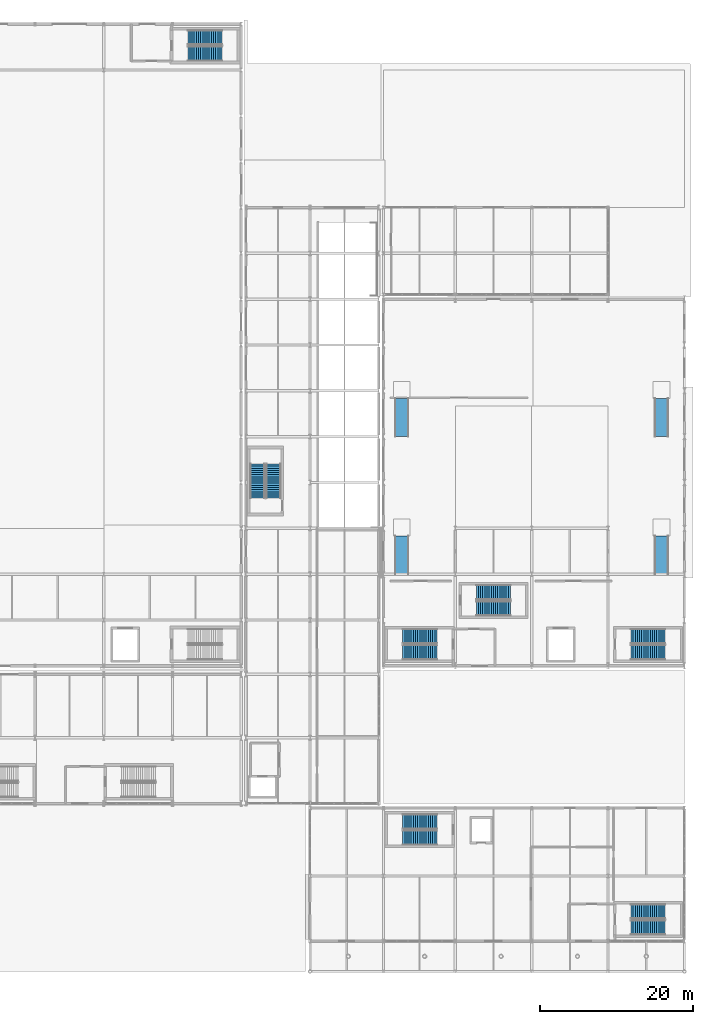
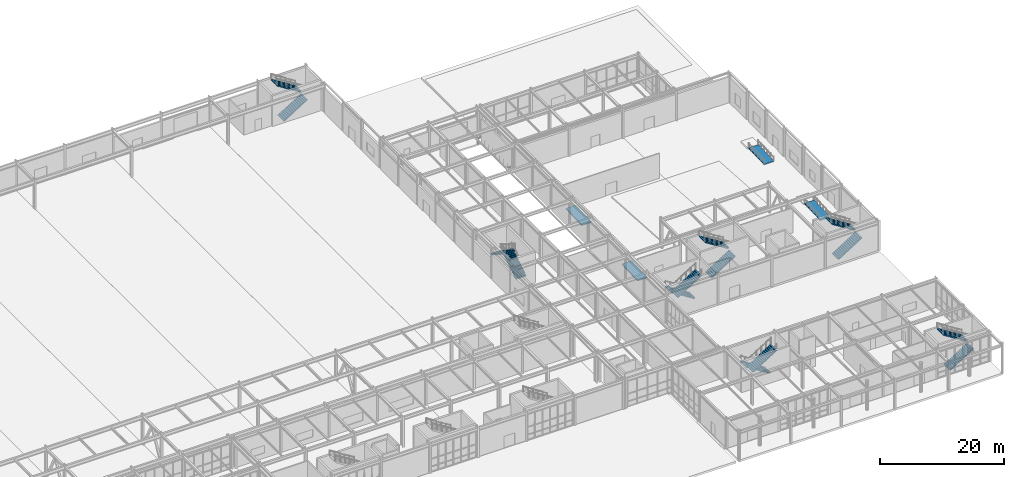
# One storey, part 129 of 146: 14 stair flights, 4 ramp flights, 11 elements without a shape of their own.
"""IFC4 building model written with IfcOpenShell, lengths in metres."""

from ifc_helpers import new_model, si_unit, direction, frame, origin, place, context, subcontext, project, spatial, polyline, outline, extrude, material, type_object, element, aggregate, save


model = new_model("IFC4")

# Units and contexts
model_context = context("Model", 3, precision=1e-05, world=origin(), true_north=direction((0.0, 1.0)))
body_context = subcontext(model_context, "Body", "Model", "MODEL_VIEW")
ifc_project = project(units=[si_unit("LENGTHUNIT", "METRE"), si_unit("AREAUNIT", "SQUARE_METRE"), si_unit("VOLUMEUNIT", "CUBIC_METRE"), si_unit("PLANEANGLEUNIT", "RADIAN"), si_unit("MASSUNIT", "GRAM", prefix="KILO")], contexts=[model_context])

# Site, building, storey
site_placement = place(None, origin())
site = spatial("IfcSite", under=ifc_project, at=site_placement, CompositionType="ELEMENT")
building_placement = place(site_placement, origin())
building = spatial("IfcBuilding", under=site, at=building_placement, Name="Kaldris Quays Convention Centre", CompositionType="ELEMENT")
storey_placement = place(building_placement, origin())
storey = spatial("IfcBuildingStorey", under=building, at=storey_placement, Name="L00", CompositionType="ELEMENT", Elevation=0.0)

# Stair, stair flights
ifc_material = material(Name="Concrete C35/45", Category="concrete")
stair_type = type_object("IfcStairType", Name="DOGLEG ESCAPE STAIR STF2", PredefinedType="TWO_STRAIGHT_RUN_STAIR", material=ifc_material)
stair_1_placement = place(storey_placement, origin())
stair_1 = element("IfcStair", 1, at=stair_1_placement, inside=storey, type_object=stair_type, Name="L00 Escape Stair ST04", PredefinedType="TWO_STRAIGHT_RUN_STAIR")
stair_flight_type = type_object("IfcStairFlightType", Name="STAIR FLIGHT SF02", PredefinedType="STRAIGHT", material=ifc_material)
stair_flight_1_placement = place(storey_placement, frame((139.0, 136.125, 0.0), z_axis=(0.0, 0.0, 1.0), x_axis=(1.0, 0.0, 0.0)))
stair_flight_1 = element("IfcStairFlight", 2, at=stair_flight_1_placement, type_object=stair_flight_type, Name="STF2 flight 1", NumberOfRisers=17, NumberOfTreads=16, PredefinedType="STRAIGHT", RiserHeight=0.176470588, TreadLength=0.28, context=body_context, shape_type="SweptSolid", body=[
    extrude(outline(polyline([(0.0, 0.0), (0.0, 0.176513671875), (0.280029296875, 0.176513671875), (0.280029296875, 0.35302734375), (0.56005859375, 0.35302734375), (0.56005859375, 0.529296875), (0.840087890625, 0.529296875), (0.840087890625, 0.705810546875), (1.1201171875, 0.705810546875), (1.1201171875, 0.88232421875), (1.39990234375, 0.88232421875), (1.39990234375, 1.058837890625), (1.679931640625, 1.058837890625), (1.679931640625, 1.2353515625), (1.9599609375, 1.2353515625), (1.9599609375, 1.411865234375), (2.239990234375, 1.411865234375), (2.239990234375, 1.588134765625), (2.52001953125, 1.588134765625), (2.52001953125, 1.7646484375), (2.800048828125, 1.7646484375), (2.800048828125, 1.941162109375), (3.080078125, 1.941162109375), (3.080078125, 2.11767578125), (3.360107421875, 2.11767578125), (3.360107421875, 2.294189453125), (3.639892578125, 2.294189453125), (3.639892578125, 2.470703125), (3.919921875, 2.470703125), (3.919921875, 2.64697265625), (4.199951171875, 2.64697265625), (4.199951171875, 2.823486328125), (4.47998046875, 2.823486328125), (4.47998046875, 3.0), (4.47998046875, 2.646240234375), (0.28125, 0.0), (0.0, 0.0)])), frame((0.0, 0.97509765625, 0.0), z_axis=(0.0, -1.0, 0.0), x_axis=(1.0, 0.0, 0.0)), (0.0, 0.0, 1.0), 1.949951171875),
])
stair_flight_2_placement = place(storey_placement, frame((143.47998046875, 138.22509765625, 3.0), z_axis=(0.0, 0.0, 1.0), x_axis=(-1.0, 0.0, 0.0)))
stair_flight_2 = element("IfcStairFlight", 3, at=stair_flight_2_placement, type_object=stair_flight_type, Name="STF2 flight 2", NumberOfRisers=17, NumberOfTreads=16, PredefinedType="STRAIGHT", RiserHeight=0.176470588, TreadLength=0.28, context=body_context, shape_type="SweptSolid", body=[
    extrude(outline(polyline([(0.0, 0.0), (0.0, 0.176513671875), (0.280029296875, 0.176513671875), (0.280029296875, 0.35302734375), (0.56005859375, 0.35302734375), (0.56005859375, 0.529296875), (0.840087890625, 0.529296875), (0.840087890625, 0.705810546875), (1.1201171875, 0.705810546875), (1.1201171875, 0.88232421875), (1.39990234375, 0.88232421875), (1.39990234375, 1.058837890625), (1.679931640625, 1.058837890625), (1.679931640625, 1.2353515625), (1.9599609375, 1.2353515625), (1.9599609375, 1.411865234375), (2.239990234375, 1.411865234375), (2.239990234375, 1.588134765625), (2.52001953125, 1.588134765625), (2.52001953125, 1.7646484375), (2.800048828125, 1.7646484375), (2.800048828125, 1.941162109375), (3.080078125, 1.941162109375), (3.080078125, 2.11767578125), (3.360107421875, 2.11767578125), (3.360107421875, 2.294189453125), (3.639892578125, 2.294189453125), (3.639892578125, 2.470703125), (3.919921875, 2.470703125), (3.919921875, 2.64697265625), (4.199951171875, 2.64697265625), (4.199951171875, 2.823486328125), (4.47998046875, 2.823486328125), (4.47998046875, 3.0), (4.47998046875, 2.646240234375), (0.28125, 0.0), (0.0, 0.0)])), frame((0.0, 0.97509765625, 0.0), z_axis=(0.0, -1.0, 0.0), x_axis=(1.0, 0.0, 0.0)), (0.0, 0.0, 1.0), 1.949951171875),
])
aggregate(stair_1, [stair_flight_1, stair_flight_2])

stair_2_placement = place(storey_placement, origin())
stair_2 = element("IfcStair", 4, at=stair_2_placement, inside=storey, type_object=stair_type, Name="L00 Escape Stair ST08", PredefinedType="TWO_STRAIGHT_RUN_STAIR")
stair_flight_3_placement = place(storey_placement, frame((171.60009765625, 59.875, 0.0), z_axis=(0.0, 0.0, 1.0), x_axis=(-1.0, 0.0, 0.0)))
stair_flight_3 = element("IfcStairFlight", 5, at=stair_flight_3_placement, type_object=stair_flight_type, Name="STF2 flight 1", NumberOfRisers=17, NumberOfTreads=16, PredefinedType="STRAIGHT", RiserHeight=0.176470588, TreadLength=0.28, context=body_context, shape_type="SweptSolid", body=[
    extrude(outline(polyline([(0.0, 0.0), (0.0, 0.176513671875), (0.280029296875, 0.176513671875), (0.280029296875, 0.35302734375), (0.56005859375, 0.35302734375), (0.56005859375, 0.529296875), (0.840087890625, 0.529296875), (0.840087890625, 0.705810546875), (1.1201171875, 0.705810546875), (1.1201171875, 0.88232421875), (1.39990234375, 0.88232421875), (1.39990234375, 1.058837890625), (1.679931640625, 1.058837890625), (1.679931640625, 1.2353515625), (1.9599609375, 1.2353515625), (1.9599609375, 1.411865234375), (2.239990234375, 1.411865234375), (2.239990234375, 1.588134765625), (2.52001953125, 1.588134765625), (2.52001953125, 1.7646484375), (2.800048828125, 1.7646484375), (2.800048828125, 1.941162109375), (3.080078125, 1.941162109375), (3.080078125, 2.11767578125), (3.360107421875, 2.11767578125), (3.360107421875, 2.294189453125), (3.639892578125, 2.294189453125), (3.639892578125, 2.470703125), (3.919921875, 2.470703125), (3.919921875, 2.64697265625), (4.199951171875, 2.64697265625), (4.199951171875, 2.823486328125), (4.47998046875, 2.823486328125), (4.47998046875, 3.0), (4.47998046875, 2.646240234375), (0.28125, 0.0), (0.0, 0.0)])), frame((0.0, 0.97509765625, 0.0), z_axis=(0.0, -1.0, 0.0), x_axis=(1.0, 0.0, 0.0)), (0.0, 0.0, 1.0), 1.949951171875),
])
stair_flight_4_placement = place(storey_placement, frame((167.1201171875, 57.77490234375, 3.0), z_axis=(0.0, 0.0, 1.0), x_axis=(1.0, 0.0, 0.0)))
stair_flight_4 = element("IfcStairFlight", 6, at=stair_flight_4_placement, type_object=stair_flight_type, Name="STF2 flight 2", NumberOfRisers=17, NumberOfTreads=16, PredefinedType="STRAIGHT", RiserHeight=0.176470588, TreadLength=0.28, context=body_context, shape_type="SweptSolid", body=[
    extrude(outline(polyline([(0.0, 0.0), (0.0, 0.176513671875), (0.280029296875, 0.176513671875), (0.280029296875, 0.35302734375), (0.56005859375, 0.35302734375), (0.56005859375, 0.529296875), (0.840087890625, 0.529296875), (0.840087890625, 0.705810546875), (1.1201171875, 0.705810546875), (1.1201171875, 0.88232421875), (1.39990234375, 0.88232421875), (1.39990234375, 1.058837890625), (1.679931640625, 1.058837890625), (1.679931640625, 1.2353515625), (1.9599609375, 1.2353515625), (1.9599609375, 1.411865234375), (2.239990234375, 1.411865234375), (2.239990234375, 1.588134765625), (2.52001953125, 1.588134765625), (2.52001953125, 1.7646484375), (2.800048828125, 1.7646484375), (2.800048828125, 1.941162109375), (3.080078125, 1.941162109375), (3.080078125, 2.11767578125), (3.360107421875, 2.11767578125), (3.360107421875, 2.294189453125), (3.639892578125, 2.294189453125), (3.639892578125, 2.470703125), (3.919921875, 2.470703125), (3.919921875, 2.64697265625), (4.199951171875, 2.64697265625), (4.199951171875, 2.823486328125), (4.47998046875, 2.823486328125), (4.47998046875, 3.0), (4.47998046875, 2.646240234375), (0.28125, 0.0), (0.0, 0.0)])), frame((0.0, 0.97509765625, 0.0), z_axis=(0.0, -1.0, 0.0), x_axis=(1.0, 0.0, 0.0)), (0.0, 0.0, 1.0), 1.949951171875),
])
aggregate(stair_2, [stair_flight_3, stair_flight_4])

stair_3_placement = place(storey_placement, origin())
stair_3 = element("IfcStair", 7, at=stair_3_placement, inside=storey, type_object=stair_type, Name="L00 Escape Stair ST09", PredefinedType="TWO_STRAIGHT_RUN_STAIR")
stair_flight_5_placement = place(storey_placement, frame((197.0, 57.77490234375, 0.0), z_axis=(0.0, 0.0, 1.0), x_axis=(1.0, 0.0, 0.0)))
stair_flight_5 = element("IfcStairFlight", 8, at=stair_flight_5_placement, type_object=stair_flight_type, Name="STF2 flight 1", NumberOfRisers=17, NumberOfTreads=16, PredefinedType="STRAIGHT", RiserHeight=0.176470588, TreadLength=0.28, context=body_context, shape_type="SweptSolid", body=[
    extrude(outline(polyline([(0.0, 0.0), (0.0, 0.176513671875), (0.280029296875, 0.176513671875), (0.280029296875, 0.35302734375), (0.56005859375, 0.35302734375), (0.56005859375, 0.529296875), (0.840087890625, 0.529296875), (0.840087890625, 0.705810546875), (1.1201171875, 0.705810546875), (1.1201171875, 0.88232421875), (1.39990234375, 0.88232421875), (1.39990234375, 1.058837890625), (1.679931640625, 1.058837890625), (1.679931640625, 1.2353515625), (1.9599609375, 1.2353515625), (1.9599609375, 1.411865234375), (2.239990234375, 1.411865234375), (2.239990234375, 1.588134765625), (2.52001953125, 1.588134765625), (2.52001953125, 1.7646484375), (2.800048828125, 1.7646484375), (2.800048828125, 1.941162109375), (3.080078125, 1.941162109375), (3.080078125, 2.11767578125), (3.360107421875, 2.11767578125), (3.360107421875, 2.294189453125), (3.639892578125, 2.294189453125), (3.639892578125, 2.470703125), (3.919921875, 2.470703125), (3.919921875, 2.64697265625), (4.199951171875, 2.64697265625), (4.199951171875, 2.823486328125), (4.47998046875, 2.823486328125), (4.47998046875, 3.0), (4.47998046875, 2.646240234375), (0.28125, 0.0), (0.0, 0.0)])), frame((0.0, 0.97509765625, 0.0), z_axis=(0.0, -1.0, 0.0), x_axis=(1.0, 0.0, 0.0)), (0.0, 0.0, 1.0), 1.949951171875),
])
stair_flight_6_placement = place(storey_placement, frame((201.47998046875, 59.875, 3.0), z_axis=(0.0, 0.0, 1.0), x_axis=(-1.0, 0.0, 0.0)))
stair_flight_6 = element("IfcStairFlight", 9, at=stair_flight_6_placement, type_object=stair_flight_type, Name="STF2 flight 2", NumberOfRisers=17, NumberOfTreads=16, PredefinedType="STRAIGHT", RiserHeight=0.176470588, TreadLength=0.28, context=body_context, shape_type="SweptSolid", body=[
    extrude(outline(polyline([(0.0, 0.0), (0.0, 0.176513671875), (0.280029296875, 0.176513671875), (0.280029296875, 0.35302734375), (0.56005859375, 0.35302734375), (0.56005859375, 0.529296875), (0.840087890625, 0.529296875), (0.840087890625, 0.705810546875), (1.1201171875, 0.705810546875), (1.1201171875, 0.88232421875), (1.39990234375, 0.88232421875), (1.39990234375, 1.058837890625), (1.679931640625, 1.058837890625), (1.679931640625, 1.2353515625), (1.9599609375, 1.2353515625), (1.9599609375, 1.411865234375), (2.239990234375, 1.411865234375), (2.239990234375, 1.588134765625), (2.52001953125, 1.588134765625), (2.52001953125, 1.7646484375), (2.800048828125, 1.7646484375), (2.800048828125, 1.941162109375), (3.080078125, 1.941162109375), (3.080078125, 2.11767578125), (3.360107421875, 2.11767578125), (3.360107421875, 2.294189453125), (3.639892578125, 2.294189453125), (3.639892578125, 2.470703125), (3.919921875, 2.470703125), (3.919921875, 2.64697265625), (4.199951171875, 2.64697265625), (4.199951171875, 2.823486328125), (4.47998046875, 2.823486328125), (4.47998046875, 3.0), (4.47998046875, 2.646240234375), (0.28125, 0.0), (0.0, 0.0)])), frame((0.0, 0.97509765625, 0.0), z_axis=(0.0, -1.0, 0.0), x_axis=(1.0, 0.0, 0.0)), (0.0, 0.0, 1.0), 1.949951171875),
])
aggregate(stair_3, [stair_flight_5, stair_flight_6])

stair_4_placement = place(storey_placement, origin())
stair_4 = element("IfcStair", 10, at=stair_4_placement, inside=storey, type_object=stair_type, Name="L00 Escape Stair ST10", PredefinedType="TWO_STRAIGHT_RUN_STAIR")
stair_flight_7_placement = place(storey_placement, frame((176.75, 63.52490234375, 0.0), z_axis=(0.0, 0.0, 1.0), x_axis=(1.0, 0.0, 0.0)))
stair_flight_7 = element("IfcStairFlight", 11, at=stair_flight_7_placement, type_object=stair_flight_type, Name="STF2 flight 1", NumberOfRisers=17, NumberOfTreads=16, PredefinedType="STRAIGHT", RiserHeight=0.176470588, TreadLength=0.28, context=body_context, shape_type="SweptSolid", body=[
    extrude(outline(polyline([(0.0, 0.0), (0.0, 0.176513671875), (0.280029296875, 0.176513671875), (0.280029296875, 0.35302734375), (0.56005859375, 0.35302734375), (0.56005859375, 0.529296875), (0.840087890625, 0.529296875), (0.840087890625, 0.705810546875), (1.1201171875, 0.705810546875), (1.1201171875, 0.88232421875), (1.39990234375, 0.88232421875), (1.39990234375, 1.058837890625), (1.679931640625, 1.058837890625), (1.679931640625, 1.2353515625), (1.9599609375, 1.2353515625), (1.9599609375, 1.411865234375), (2.239990234375, 1.411865234375), (2.239990234375, 1.588134765625), (2.52001953125, 1.588134765625), (2.52001953125, 1.7646484375), (2.800048828125, 1.7646484375), (2.800048828125, 1.941162109375), (3.080078125, 1.941162109375), (3.080078125, 2.11767578125), (3.360107421875, 2.11767578125), (3.360107421875, 2.294189453125), (3.639892578125, 2.294189453125), (3.639892578125, 2.470703125), (3.919921875, 2.470703125), (3.919921875, 2.64697265625), (4.199951171875, 2.64697265625), (4.199951171875, 2.823486328125), (4.47998046875, 2.823486328125), (4.47998046875, 3.0), (4.47998046875, 2.646240234375), (0.28125, 0.0), (0.0, 0.0)])), frame((0.0, 0.97509765625, 0.0), z_axis=(0.0, -1.0, 0.0), x_axis=(1.0, 0.0, 0.0)), (0.0, 0.0, 1.0), 1.949951171875),
])
stair_flight_8_placement = place(storey_placement, frame((181.22998046875, 65.625, 3.0), z_axis=(0.0, 0.0, 1.0), x_axis=(-1.0, 0.0, 0.0)))
stair_flight_8 = element("IfcStairFlight", 12, at=stair_flight_8_placement, type_object=stair_flight_type, Name="STF2 flight 2", NumberOfRisers=17, NumberOfTreads=16, PredefinedType="STRAIGHT", RiserHeight=0.176470588, TreadLength=0.28, context=body_context, shape_type="SweptSolid", body=[
    extrude(outline(polyline([(0.0, 0.0), (0.0, 0.176513671875), (0.280029296875, 0.176513671875), (0.280029296875, 0.35302734375), (0.56005859375, 0.35302734375), (0.56005859375, 0.529296875), (0.840087890625, 0.529296875), (0.840087890625, 0.705810546875), (1.1201171875, 0.705810546875), (1.1201171875, 0.88232421875), (1.39990234375, 0.88232421875), (1.39990234375, 1.058837890625), (1.679931640625, 1.058837890625), (1.679931640625, 1.2353515625), (1.9599609375, 1.2353515625), (1.9599609375, 1.411865234375), (2.239990234375, 1.411865234375), (2.239990234375, 1.588134765625), (2.52001953125, 1.588134765625), (2.52001953125, 1.7646484375), (2.800048828125, 1.7646484375), (2.800048828125, 1.941162109375), (3.080078125, 1.941162109375), (3.080078125, 2.11767578125), (3.360107421875, 2.11767578125), (3.360107421875, 2.294189453125), (3.639892578125, 2.294189453125), (3.639892578125, 2.470703125), (3.919921875, 2.470703125), (3.919921875, 2.64697265625), (4.199951171875, 2.64697265625), (4.199951171875, 2.823486328125), (4.47998046875, 2.823486328125), (4.47998046875, 3.0), (4.47998046875, 2.646240234375), (0.28125, 0.0), (0.0, 0.0)])), frame((0.0, 0.97509765625, 0.0), z_axis=(0.0, -1.0, 0.0), x_axis=(1.0, 0.0, 0.0)), (0.0, 0.0, 1.0), 1.949951171875),
])
aggregate(stair_4, [stair_flight_7, stair_flight_8])

stair_5_placement = place(storey_placement, origin())
stair_5 = element("IfcStair", 13, at=stair_5_placement, inside=storey, type_object=stair_type, Name="L00 Escape Stair ST14", PredefinedType="TWO_STRAIGHT_RUN_STAIR")
stair_flight_9_placement = place(storey_placement, frame((150.22509765625, 77.949951171875, 0.0), z_axis=(0.0, 0.0, 1.0), x_axis=(0.0, 1.0, 0.0)))
stair_flight_9 = element("IfcStairFlight", 14, at=stair_flight_9_placement, type_object=stair_flight_type, Name="STF2 flight 1", NumberOfRisers=17, NumberOfTreads=16, PredefinedType="STRAIGHT", RiserHeight=0.176470588, TreadLength=0.28, context=body_context, shape_type="SweptSolid", body=[
    extrude(outline(polyline([(0.0, 0.0), (0.0, 0.176513671875), (0.280029296875, 0.176513671875), (0.280029296875, 0.35302734375), (0.56005859375, 0.35302734375), (0.56005859375, 0.529296875), (0.840087890625, 0.529296875), (0.840087890625, 0.705810546875), (1.1201171875, 0.705810546875), (1.1201171875, 0.88232421875), (1.39990234375, 0.88232421875), (1.39990234375, 1.058837890625), (1.679931640625, 1.058837890625), (1.679931640625, 1.2353515625), (1.9599609375, 1.2353515625), (1.9599609375, 1.411865234375), (2.239990234375, 1.411865234375), (2.239990234375, 1.588134765625), (2.52001953125, 1.588134765625), (2.52001953125, 1.7646484375), (2.800048828125, 1.7646484375), (2.800048828125, 1.941162109375), (3.080078125, 1.941162109375), (3.080078125, 2.11767578125), (3.360107421875, 2.11767578125), (3.360107421875, 2.294189453125), (3.639892578125, 2.294189453125), (3.639892578125, 2.470703125), (3.919921875, 2.470703125), (3.919921875, 2.64697265625), (4.199951171875, 2.64697265625), (4.199951171875, 2.823486328125), (4.47998046875, 2.823486328125), (4.47998046875, 3.0), (4.47998046875, 2.646240234375), (0.28125, 0.0), (0.0, 0.0)])), frame((0.0, 0.97509765625, 0.0), z_axis=(0.0, -1.0, 0.0), x_axis=(1.0, 0.0, 0.0)), (0.0, 0.0, 1.0), 1.949951171875),
])
stair_flight_10_placement = place(storey_placement, frame((148.125, 82.429931640625, 3.0), z_axis=(0.0, 0.0, 1.0), x_axis=(0.0, -1.0, 0.0)))
stair_flight_10 = element("IfcStairFlight", 15, at=stair_flight_10_placement, type_object=stair_flight_type, Name="STF2 flight 2", NumberOfRisers=17, NumberOfTreads=16, PredefinedType="STRAIGHT", RiserHeight=0.176470588, TreadLength=0.28, context=body_context, shape_type="SweptSolid", body=[
    extrude(outline(polyline([(0.0, 0.0), (0.0, 0.176513671875), (0.280029296875, 0.176513671875), (0.280029296875, 0.35302734375), (0.56005859375, 0.35302734375), (0.56005859375, 0.529296875), (0.840087890625, 0.529296875), (0.840087890625, 0.705810546875), (1.1201171875, 0.705810546875), (1.1201171875, 0.88232421875), (1.39990234375, 0.88232421875), (1.39990234375, 1.058837890625), (1.679931640625, 1.058837890625), (1.679931640625, 1.2353515625), (1.9599609375, 1.2353515625), (1.9599609375, 1.411865234375), (2.239990234375, 1.411865234375), (2.239990234375, 1.588134765625), (2.52001953125, 1.588134765625), (2.52001953125, 1.7646484375), (2.800048828125, 1.7646484375), (2.800048828125, 1.941162109375), (3.080078125, 1.941162109375), (3.080078125, 2.11767578125), (3.360107421875, 2.11767578125), (3.360107421875, 2.294189453125), (3.639892578125, 2.294189453125), (3.639892578125, 2.470703125), (3.919921875, 2.470703125), (3.919921875, 2.64697265625), (4.199951171875, 2.64697265625), (4.199951171875, 2.823486328125), (4.47998046875, 2.823486328125), (4.47998046875, 3.0), (4.47998046875, 2.646240234375), (0.28125, 0.0), (0.0, 0.0)])), frame((0.0, 0.97509765625, 0.0), z_axis=(0.0, -1.0, 0.0), x_axis=(1.0, 0.0, 0.0)), (0.0, 0.0, 1.0), 1.949951171875),
])
aggregate(stair_5, [stair_flight_9, stair_flight_10])

stair_6_placement = place(storey_placement, origin())
stair_6 = element("IfcStair", 16, at=stair_6_placement, inside=storey, type_object=stair_type, Name="L00 Escape Stair ST15", PredefinedType="TWO_STRAIGHT_RUN_STAIR")
stair_flight_11_placement = place(storey_placement, frame((171.60009765625, 35.625, 0.0), z_axis=(0.0, 0.0, 1.0), x_axis=(-1.0, 0.0, 0.0)))
stair_flight_11 = element("IfcStairFlight", 17, at=stair_flight_11_placement, type_object=stair_flight_type, Name="STF2 flight 1", NumberOfRisers=17, NumberOfTreads=16, PredefinedType="STRAIGHT", RiserHeight=0.176470588, TreadLength=0.28, context=body_context, shape_type="SweptSolid", body=[
    extrude(outline(polyline([(0.0, 0.0), (0.0, 0.176513671875), (0.280029296875, 0.176513671875), (0.280029296875, 0.35302734375), (0.56005859375, 0.35302734375), (0.56005859375, 0.529296875), (0.840087890625, 0.529296875), (0.840087890625, 0.705810546875), (1.1201171875, 0.705810546875), (1.1201171875, 0.88232421875), (1.39990234375, 0.88232421875), (1.39990234375, 1.058837890625), (1.679931640625, 1.058837890625), (1.679931640625, 1.2353515625), (1.9599609375, 1.2353515625), (1.9599609375, 1.411865234375), (2.239990234375, 1.411865234375), (2.239990234375, 1.588134765625), (2.52001953125, 1.588134765625), (2.52001953125, 1.7646484375), (2.800048828125, 1.7646484375), (2.800048828125, 1.941162109375), (3.080078125, 1.941162109375), (3.080078125, 2.11767578125), (3.360107421875, 2.11767578125), (3.360107421875, 2.294189453125), (3.639892578125, 2.294189453125), (3.639892578125, 2.470703125), (3.919921875, 2.470703125), (3.919921875, 2.64697265625), (4.199951171875, 2.64697265625), (4.199951171875, 2.823486328125), (4.47998046875, 2.823486328125), (4.47998046875, 3.0), (4.47998046875, 2.646240234375), (0.28125, 0.0), (0.0, 0.0)])), frame((0.0, 0.97509765625, 0.0), z_axis=(0.0, -1.0, 0.0), x_axis=(1.0, 0.0, 0.0)), (0.0, 0.0, 1.0), 1.949951171875),
])
stair_flight_12_placement = place(storey_placement, frame((167.1201171875, 33.52490234375, 3.0), z_axis=(0.0, 0.0, 1.0), x_axis=(1.0, 0.0, 0.0)))
stair_flight_12 = element("IfcStairFlight", 18, at=stair_flight_12_placement, type_object=stair_flight_type, Name="STF2 flight 2", NumberOfRisers=17, NumberOfTreads=16, PredefinedType="STRAIGHT", RiserHeight=0.176470588, TreadLength=0.28, context=body_context, shape_type="SweptSolid", body=[
    extrude(outline(polyline([(0.0, 0.0), (0.0, 0.176513671875), (0.280029296875, 0.176513671875), (0.280029296875, 0.35302734375), (0.56005859375, 0.35302734375), (0.56005859375, 0.529296875), (0.840087890625, 0.529296875), (0.840087890625, 0.705810546875), (1.1201171875, 0.705810546875), (1.1201171875, 0.88232421875), (1.39990234375, 0.88232421875), (1.39990234375, 1.058837890625), (1.679931640625, 1.058837890625), (1.679931640625, 1.2353515625), (1.9599609375, 1.2353515625), (1.9599609375, 1.411865234375), (2.239990234375, 1.411865234375), (2.239990234375, 1.588134765625), (2.52001953125, 1.588134765625), (2.52001953125, 1.7646484375), (2.800048828125, 1.7646484375), (2.800048828125, 1.941162109375), (3.080078125, 1.941162109375), (3.080078125, 2.11767578125), (3.360107421875, 2.11767578125), (3.360107421875, 2.294189453125), (3.639892578125, 2.294189453125), (3.639892578125, 2.470703125), (3.919921875, 2.470703125), (3.919921875, 2.64697265625), (4.199951171875, 2.64697265625), (4.199951171875, 2.823486328125), (4.47998046875, 2.823486328125), (4.47998046875, 3.0), (4.47998046875, 2.646240234375), (0.28125, 0.0), (0.0, 0.0)])), frame((0.0, 0.97509765625, 0.0), z_axis=(0.0, -1.0, 0.0), x_axis=(1.0, 0.0, 0.0)), (0.0, 0.0, 1.0), 1.949951171875),
])
aggregate(stair_6, [stair_flight_11, stair_flight_12])

stair_7_placement = place(storey_placement, origin())
stair_7 = element("IfcStair", 19, at=stair_7_placement, inside=storey, type_object=stair_type, Name="L00 Escape Stair ST16", PredefinedType="TWO_STRAIGHT_RUN_STAIR")
stair_flight_13_placement = place(storey_placement, frame((197.0, 21.77490234375, 0.0), z_axis=(0.0, 0.0, 1.0), x_axis=(1.0, 0.0, 0.0)))
stair_flight_13 = element("IfcStairFlight", 20, at=stair_flight_13_placement, type_object=stair_flight_type, Name="STF2 flight 1", NumberOfRisers=17, NumberOfTreads=16, PredefinedType="STRAIGHT", RiserHeight=0.176470588, TreadLength=0.28, context=body_context, shape_type="SweptSolid", body=[
    extrude(outline(polyline([(0.0, 0.0), (0.0, 0.176513671875), (0.280029296875, 0.176513671875), (0.280029296875, 0.35302734375), (0.56005859375, 0.35302734375), (0.56005859375, 0.529296875), (0.840087890625, 0.529296875), (0.840087890625, 0.705810546875), (1.1201171875, 0.705810546875), (1.1201171875, 0.88232421875), (1.39990234375, 0.88232421875), (1.39990234375, 1.058837890625), (1.679931640625, 1.058837890625), (1.679931640625, 1.2353515625), (1.9599609375, 1.2353515625), (1.9599609375, 1.411865234375), (2.239990234375, 1.411865234375), (2.239990234375, 1.588134765625), (2.52001953125, 1.588134765625), (2.52001953125, 1.7646484375), (2.800048828125, 1.7646484375), (2.800048828125, 1.941162109375), (3.080078125, 1.941162109375), (3.080078125, 2.11767578125), (3.360107421875, 2.11767578125), (3.360107421875, 2.294189453125), (3.639892578125, 2.294189453125), (3.639892578125, 2.470703125), (3.919921875, 2.470703125), (3.919921875, 2.64697265625), (4.199951171875, 2.64697265625), (4.199951171875, 2.823486328125), (4.47998046875, 2.823486328125), (4.47998046875, 3.0), (4.47998046875, 2.646240234375), (0.28125, 0.0), (0.0, 0.0)])), frame((0.0, 0.97509765625, 0.0), z_axis=(0.0, -1.0, 0.0), x_axis=(1.0, 0.0, 0.0)), (0.0, 0.0, 1.0), 1.949951171875),
])
stair_flight_14_placement = place(storey_placement, frame((201.47998046875, 23.875, 3.0), z_axis=(0.0, 0.0, 1.0), x_axis=(-1.0, 0.0, 0.0)))
stair_flight_14 = element("IfcStairFlight", 21, at=stair_flight_14_placement, type_object=stair_flight_type, Name="STF2 flight 2", NumberOfRisers=17, NumberOfTreads=16, PredefinedType="STRAIGHT", RiserHeight=0.176470588, TreadLength=0.28, context=body_context, shape_type="SweptSolid", body=[
    extrude(outline(polyline([(0.0, 0.0), (0.0, 0.176513671875), (0.280029296875, 0.176513671875), (0.280029296875, 0.35302734375), (0.56005859375, 0.35302734375), (0.56005859375, 0.529296875), (0.840087890625, 0.529296875), (0.840087890625, 0.705810546875), (1.1201171875, 0.705810546875), (1.1201171875, 0.88232421875), (1.39990234375, 0.88232421875), (1.39990234375, 1.058837890625), (1.679931640625, 1.058837890625), (1.679931640625, 1.2353515625), (1.9599609375, 1.2353515625), (1.9599609375, 1.411865234375), (2.239990234375, 1.411865234375), (2.239990234375, 1.588134765625), (2.52001953125, 1.588134765625), (2.52001953125, 1.7646484375), (2.800048828125, 1.7646484375), (2.800048828125, 1.941162109375), (3.080078125, 1.941162109375), (3.080078125, 2.11767578125), (3.360107421875, 2.11767578125), (3.360107421875, 2.294189453125), (3.639892578125, 2.294189453125), (3.639892578125, 2.470703125), (3.919921875, 2.470703125), (3.919921875, 2.64697265625), (4.199951171875, 2.64697265625), (4.199951171875, 2.823486328125), (4.47998046875, 2.823486328125), (4.47998046875, 3.0), (4.47998046875, 2.646240234375), (0.28125, 0.0), (0.0, 0.0)])), frame((0.0, 0.97509765625, 0.0), z_axis=(0.0, -1.0, 0.0), x_axis=(1.0, 0.0, 0.0)), (0.0, 0.0, 1.0), 1.949951171875),
])
aggregate(stair_7, [stair_flight_13, stair_flight_14])

# Ramp, ramp flight
ramp_type = type_object("IfcRampType", Name="ACCESSIBLE RAMP RMP2", PredefinedType="STRAIGHT_RUN_RAMP", material=ifc_material)
ramp_1_placement = place(storey_placement, origin())
ramp_1 = element("IfcRamp", 22, at=ramp_1_placement, inside=storey, type_object=ramp_type, Name="SIA 500 Accessible Ramp PRMP-1", PredefinedType="STRAIGHT_RUN_RAMP")
ramp_flight_type = type_object("IfcRampFlightType", Name="ACCESSIBLE RAMP FLIGHT RFG2", PredefinedType="STRAIGHT", material=ifc_material)
ramp_flight_1_placement = place(storey_placement, frame((167.0, 86.0, 0.0), z_axis=(0.0, 0.0, 1.0), x_axis=(0.0, 1.0, 0.0)))
ramp_flight_1 = element("IfcRampFlight", 23, at=ramp_flight_1_placement, type_object=ramp_flight_type, Name="SIA 500 Accessible Ramp Flight PRMP-1", PredefinedType="STRAIGHT", context=body_context, shape_type="SweptSolid", body=[
    extrude(outline(polyline([(0.0, -0.219970703125), (0.0, 0.0), (5.0, 0.218017578125), (5.0, -0.001953125), (0.0, -0.219970703125)])), frame((0.0, 0.89990234375, 0.0), z_axis=(0.0, -1.0, 0.0), x_axis=(1.0, 0.0, 0.0)), (0.0, 0.0, 1.0), 1.800048828125),
])
aggregate(ramp_1, [ramp_flight_1])

ramp_2_placement = place(storey_placement, origin())
ramp_2 = element("IfcRamp", 24, at=ramp_2_placement, inside=storey, type_object=ramp_type, Name="SIA 500 Accessible Ramp PRMP-2", PredefinedType="STRAIGHT_RUN_RAMP")
ramp_flight_2_placement = place(storey_placement, frame((201.0, 86.0, 0.0), z_axis=(0.0, 0.0, 1.0), x_axis=(0.0, 1.0, 0.0)))
ramp_flight_2 = element("IfcRampFlight", 25, at=ramp_flight_2_placement, type_object=ramp_flight_type, Name="SIA 500 Accessible Ramp Flight PRMP-2", PredefinedType="STRAIGHT", context=body_context, shape_type="SweptSolid", body=[
    extrude(outline(polyline([(0.0, -0.219970703125), (0.0, 0.0), (5.0, 0.218017578125), (5.0, -0.001953125), (0.0, -0.219970703125)])), frame((0.0, 0.89990234375, 0.0), z_axis=(0.0, -1.0, 0.0), x_axis=(1.0, 0.0, 0.0)), (0.0, 0.0, 1.0), 1.800048828125),
])
aggregate(ramp_2, [ramp_flight_2])

ramp_3_placement = place(storey_placement, origin())
ramp_3 = element("IfcRamp", 26, at=ramp_3_placement, inside=storey, type_object=ramp_type, Name="SIA 500 Accessible Ramp PRMP-3", PredefinedType="STRAIGHT_RUN_RAMP")
ramp_flight_3_placement = place(storey_placement, frame((167.0, 68.0, 0.0), z_axis=(0.0, 0.0, 1.0), x_axis=(0.0, 1.0, 0.0)))
ramp_flight_3 = element("IfcRampFlight", 27, at=ramp_flight_3_placement, type_object=ramp_flight_type, Name="SIA 500 Accessible Ramp Flight PRMP-3", PredefinedType="STRAIGHT", context=body_context, shape_type="SweptSolid", body=[
    extrude(outline(polyline([(0.0, -0.219970703125), (0.0, 0.0), (5.0, 0.218017578125), (5.0, -0.001953125), (0.0, -0.219970703125)])), frame((0.0, 0.89990234375, 0.0), z_axis=(0.0, -1.0, 0.0), x_axis=(1.0, 0.0, 0.0)), (0.0, 0.0, 1.0), 1.800048828125),
])
aggregate(ramp_3, [ramp_flight_3])

ramp_4_placement = place(storey_placement, origin())
ramp_4 = element("IfcRamp", 28, at=ramp_4_placement, inside=storey, type_object=ramp_type, Name="SIA 500 Accessible Ramp PRMP-4", PredefinedType="STRAIGHT_RUN_RAMP")
ramp_flight_4_placement = place(storey_placement, frame((201.0, 68.0, 0.0), z_axis=(0.0, 0.0, 1.0), x_axis=(0.0, 1.0, 0.0)))
ramp_flight_4 = element("IfcRampFlight", 29, at=ramp_flight_4_placement, type_object=ramp_flight_type, Name="SIA 500 Accessible Ramp Flight PRMP-4", PredefinedType="STRAIGHT", context=body_context, shape_type="SweptSolid", body=[
    extrude(outline(polyline([(0.0, -0.219970703125), (0.0, 0.0), (5.0, 0.218017578125), (5.0, -0.001953125), (0.0, -0.219970703125)])), frame((0.0, 0.89990234375, 0.0), z_axis=(0.0, -1.0, 0.0), x_axis=(1.0, 0.0, 0.0)), (0.0, 0.0, 1.0), 1.800048828125),
])
aggregate(ramp_4, [ramp_flight_4])

save(model, "model.ifc")
